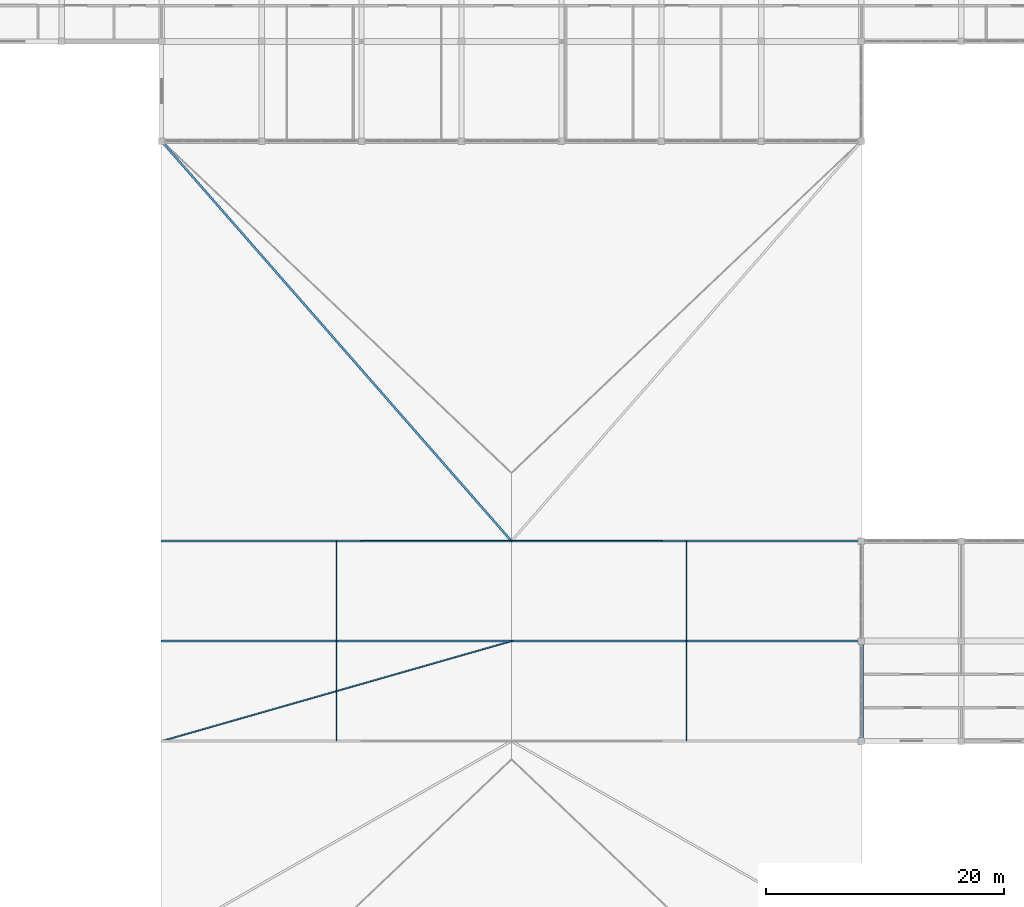
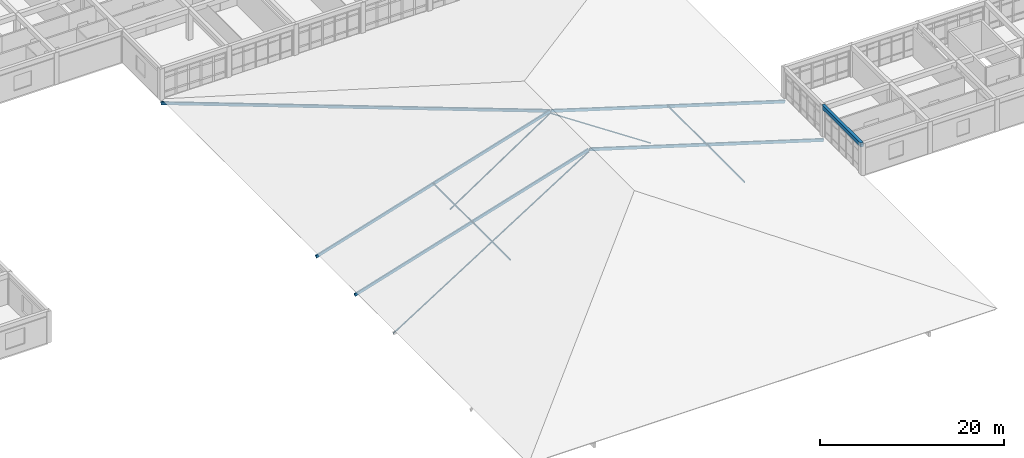
# One storey, part 9 of 77: 12 members, 1 beam.
"""IFC4 building model written with IfcOpenShell, lengths in metres."""

from ifc_helpers import new_model, si_unit, direction, frame, origin, origin_2d, place, context, subcontext, project, spatial, rectangle, hollow_rectangle, extrude, material, material_profile, profile_set, type_object, element, save


model = new_model("IFC4")

# Units and contexts
model_context = context("Model", 3, precision=1e-05, world=origin(), true_north=direction((0.0, 1.0)))
body_context = subcontext(model_context, "Body", "Model", "MODEL_VIEW")
ifc_project = project(units=[si_unit("LENGTHUNIT", "METRE"), si_unit("AREAUNIT", "SQUARE_METRE"), si_unit("VOLUMEUNIT", "CUBIC_METRE"), si_unit("PLANEANGLEUNIT", "RADIAN"), si_unit("MASSUNIT", "GRAM", prefix="KILO")], contexts=[model_context])

# Site, building, storey
site_placement = place(None, origin())
site = spatial("IfcSite", under=ifc_project, at=site_placement, CompositionType="ELEMENT")
building_placement = place(site_placement, origin())
building = spatial("IfcBuilding", under=site, at=building_placement, Name="Varncliffe General Hospital", CompositionType="ELEMENT")
storey_placement = place(building_placement, frame((0.0, 0.0, 16.199951171875)))
storey = spatial("IfcBuildingStorey", under=building, at=storey_placement, Name="L03", CompositionType="ELEMENT", Elevation=16.199951171875)

# Members
ifc_material_1 = material(Name="Steel S355 (CSA G40.21 350W)", Category="steel")
ifc_material_profile_1 = material_profile(ifc_material_1, hollow_rectangle(XDim=0.10205078125, YDim=0.202880859375, WallThickness=0.008056640625, InnerFilletRadius=0.008056640625, OuterFilletRadius=0.01611328125, at=origin_2d()), Name="HSS 203x102x8.0")
ifc_profile_set_1 = profile_set([ifc_material_profile_1], Name="Steel S355 (CSA G40.21 350W)")
member_type_1 = type_object("IfcMemberType", Name="Member MB29 (PURLIN Int HSS 203x102x8.0)", PredefinedType="PURLIN", material=ifc_profile_set_1)
member_1_placement = place(storey_placement, frame((73.5, 24.0, 4.120849609375), z_axis=(0.0, 1.0, 0.0), x_axis=(-1.0, 0.0, 0.0)))
element("IfcMember", 1, at=member_1_placement, inside=storey, type_object=member_type_1, Name="L03 RF-V1-MAIN Timber Purlin W1", PredefinedType="PURLIN", context=body_context, shape_type="SweptSolid", body=[
    extrude(hollow_rectangle(XDim=0.10205078125, YDim=0.202880859375, WallThickness=0.008056640625, InnerFilletRadius=0.008056640625, OuterFilletRadius=0.01611328125, at=origin_2d()), origin(), (0.0, 0.0, 1.0), 8.39990234375),
])
member_2_placement = place(storey_placement, frame((73.5, 32.39990234375, 4.120849609375), z_axis=(0.0, 1.0, 0.0), x_axis=(-1.0, 0.0, 0.0)))
element("IfcMember", 2, at=member_2_placement, inside=storey, type_object=member_type_1, Name="L03 RF-V1-MAIN Timber Purlin W2", PredefinedType="PURLIN", context=body_context, shape_type="SweptSolid", body=[
    extrude(hollow_rectangle(XDim=0.10205078125, YDim=0.202880859375, WallThickness=0.008056640625, InnerFilletRadius=0.008056640625, OuterFilletRadius=0.01611328125, at=origin_2d()), origin(), (0.0, 0.0, 1.0), 8.400146484375),
])
member_3_placement = place(storey_placement, frame((102.89990234375, 24.0, 4.120849609375), z_axis=(0.0, 1.0, 0.0), x_axis=(-1.0, 0.0, 0.0)))
element("IfcMember", 3, at=member_3_placement, inside=storey, type_object=member_type_1, Name="L03 RF-V1-MAIN Timber Purlin E1", PredefinedType="PURLIN", context=body_context, shape_type="SweptSolid", body=[
    extrude(hollow_rectangle(XDim=0.10205078125, YDim=0.202880859375, WallThickness=0.008056640625, InnerFilletRadius=0.008056640625, OuterFilletRadius=0.01611328125, at=origin_2d()), origin(), (0.0, 0.0, 1.0), 8.39990234375),
])
member_4_placement = place(storey_placement, frame((102.89990234375, 32.39990234375, 4.120849609375), z_axis=(0.0, 1.0, 0.0), x_axis=(-1.0, 0.0, 0.0)))
element("IfcMember", 4, at=member_4_placement, inside=storey, type_object=member_type_1, Name="L03 RF-V1-MAIN Timber Purlin E2", PredefinedType="PURLIN", context=body_context, shape_type="SweptSolid", body=[
    extrude(hollow_rectangle(XDim=0.10205078125, YDim=0.202880859375, WallThickness=0.008056640625, InnerFilletRadius=0.008056640625, OuterFilletRadius=0.01611328125, at=origin_2d()), origin(), (0.0, 0.0, 1.0), 8.400146484375),
])
ifc_material_profile_2 = material_profile(ifc_material_1, hollow_rectangle(XDim=0.126953125, YDim=0.126953125, WallThickness=0.00634765625, InnerFilletRadius=0.006103515625, OuterFilletRadius=0.012939453125, at=origin_2d()), Name="HSS 127x127x6.4")
ifc_profile_set_2 = profile_set([ifc_material_profile_2], Name="Steel S355 (CSA G40.21 350W)")
member_type_2 = type_object("IfcMemberType", Name="Member MB49 (BRACE Int HSS 127x127x6.4)", PredefinedType="BRACE", material=ifc_profile_set_2)
member_5_placement = place(storey_placement, frame((75.60009765625, 40.800048828125, -0.14990234375), z_axis=(0.832377682662, 0.0, 0.554208799466), x_axis=(0.0, 1.0, 0.0)))
element("IfcMember", 5, at=member_5_placement, inside=storey, type_object=member_type_2, Name="L03 RF-V1-MAIN Interior Glulam Column A-Frame Strut 3", PredefinedType="BRACE", context=body_context, shape_type="SweptSolid", body=[
    extrude(hollow_rectangle(XDim=0.126953125, YDim=0.126953125, WallThickness=0.00634765625, InnerFilletRadius=0.006103515625, OuterFilletRadius=0.012939453125, at=origin_2d()), origin(), (0.0, 0.0, 1.0), 15.13720703125),
])
member_6_placement = place(storey_placement, frame((100.800048828125, 40.800048828125, -0.14990234375), z_axis=(-0.832382636401, 0.0, 0.554201359272), x_axis=(0.0, -1.0, 0.0)))
element("IfcMember", 6, at=member_6_placement, inside=storey, type_object=member_type_2, Name="L03 RF-V1-MAIN Interior Glulam Column A-Frame Strut 4", PredefinedType="BRACE", context=body_context, shape_type="SweptSolid", body=[
    extrude(hollow_rectangle(XDim=0.126953125, YDim=0.126953125, WallThickness=0.00634765625, InnerFilletRadius=0.006103515625, OuterFilletRadius=0.012939453125, at=origin_2d()), origin(), (0.0, 0.0, 1.0), 15.137451171875),
])
member_7_placement = place(storey_placement, frame((58.800048828125, 24.0, -0.500732421875), z_axis=(0.924497783428, 0.264140030365, 0.274834300617), x_axis=(-0.27471901875, 0.961524550252, 0.0)))
element("IfcMember", 7, at=member_7_placement, inside=storey, type_object=member_type_2, Name="L03 RF-V1-MAIN Lateral Wind Brace 1", PredefinedType="BRACE", context=body_context, shape_type="SweptSolid", body=[
    extrude(hollow_rectangle(XDim=0.126953125, YDim=0.126953125, WallThickness=0.00634765625, InnerFilletRadius=0.006103515625, OuterFilletRadius=0.012939453125, at=origin_2d()), origin(), (0.0, 0.0, 1.0), 31.801025390625),
])
ifc_material_2 = material(Name="Glulam GL28h (CSA O86 24f-EX, 30 MPa)", Category="wood")
ifc_material_profile_3 = material_profile(ifc_material_2, rectangle(XDim=0.175048828125, YDim=0.3798828125, at=origin_2d()), Name="GL 175x380")
ifc_profile_set_3 = profile_set([ifc_material_profile_3], Name="Glulam GL28h (CSA O86 24f-EX, 30 MPa)")
member_type_3 = type_object("IfcMemberType", Name="Member MB55 (RAFTER Int GL 175x380)", PredefinedType="RAFTER", material=ifc_profile_set_3)
member_8_placement = place(storey_placement, frame((58.800048828125, 74.39990234375, -0.49951171875), z_axis=(0.645388595217, -0.737587732449, 0.198589773415), x_axis=(0.752577033832, 0.658504220297, 0.0)))
element("IfcMember", 8, at=member_8_placement, inside=storey, type_object=member_type_3, Name="L03 RF-V1-MAIN Hip Rafter NW", PredefinedType="RAFTER", context=body_context, shape_type="SweptSolid", body=[
    extrude(rectangle(XDim=0.175048828125, YDim=0.3798828125, at=origin_2d()), origin(), (0.0, 0.0, 1.0), 45.502685546875),
])
member_9_placement = place(storey_placement, frame((58.800048828125, 32.39990234375, -0.500732421875), z_axis=(0.955808581962, 0.0, 0.29398971861), x_axis=(0.0, 1.0, 0.0)))
element("IfcMember", 9, at=member_9_placement, inside=storey, type_object=member_type_3, Name="L03 RF-V1-MAIN West Sloped Glulam Rafter 2", PredefinedType="RAFTER", context=body_context, shape_type="SweptSolid", body=[
    extrude(rectangle(XDim=0.175048828125, YDim=0.3798828125, at=origin_2d()), origin(), (0.0, 0.0, 1.0), 30.6962890625),
])
member_10_placement = place(storey_placement, frame((117.60009765625, 32.39990234375, -0.500732421875), z_axis=(-0.955809269367, 0.0, 0.293987483735), x_axis=(0.0, -1.0, 0.0)))
element("IfcMember", 10, at=member_10_placement, inside=storey, type_object=member_type_3, Name="L03 RF-V1-MAIN East Sloped Glulam Rafter 2", PredefinedType="RAFTER", context=body_context, shape_type="SweptSolid", body=[
    extrude(rectangle(XDim=0.175048828125, YDim=0.3798828125, at=origin_2d()), origin(), (0.0, 0.0, 1.0), 30.696533203125),
])
member_11_placement = place(storey_placement, frame((58.800048828125, 40.800048828125, -0.500732421875), z_axis=(0.955808581962, 0.0, 0.29398971861), x_axis=(0.0, 1.0, 0.0)))
element("IfcMember", 11, at=member_11_placement, inside=storey, type_object=member_type_3, Name="L03 RF-V1-MAIN West Sloped Glulam Rafter 3", PredefinedType="RAFTER", context=body_context, shape_type="SweptSolid", body=[
    extrude(rectangle(XDim=0.175048828125, YDim=0.3798828125, at=origin_2d()), origin(), (0.0, 0.0, 1.0), 30.6962890625),
])
member_12_placement = place(storey_placement, frame((117.60009765625, 40.800048828125, -0.500732421875), z_axis=(-0.955809269367, 0.0, 0.293987483735), x_axis=(0.0, -1.0, 0.0)))
element("IfcMember", 12, at=member_12_placement, inside=storey, type_object=member_type_3, Name="L03 RF-V1-MAIN East Sloped Glulam Rafter 3", PredefinedType="RAFTER", context=body_context, shape_type="SweptSolid", body=[
    extrude(rectangle(XDim=0.175048828125, YDim=0.3798828125, at=origin_2d()), origin(), (0.0, 0.0, 1.0), 30.696533203125),
])

# Beam
ifc_material_3 = material(Name="Concrete C35/45 (CSA A23.1 35 MPa)", Category="concrete")
ifc_material_profile_4 = material_profile(ifc_material_3, rectangle(XDim=0.35009765625, YDim=0.550048828125, at=origin_2d()), Name="RC 350x550")
ifc_profile_set_4 = profile_set([ifc_material_profile_4], Name="Concrete C35/45 (CSA A23.1 35 MPa)")
beam_type = type_object("IfcBeamType", Name="Spandrel SP20 (Ext RC 350x550)", PredefinedType="SPANDREL", material=ifc_profile_set_4)
beam_placement = place(storey_placement, frame((117.60009765625, 24.0, 3.925048828125), z_axis=(0.0, 1.0, 0.0), x_axis=(-1.0, 0.0, 0.0)))
element("IfcBeam", 13, at=beam_placement, inside=storey, type_object=beam_type, Name="L03 Spandrel Beam SP20-326", PredefinedType="SPANDREL", context=body_context, shape_type="SweptSolid", body=[
    extrude(rectangle(XDim=0.35009765625, YDim=0.550048828125, at=origin_2d()), origin(), (0.0, 0.0, 1.0), 8.39990234375),
])

save(model, "model.ifc")
